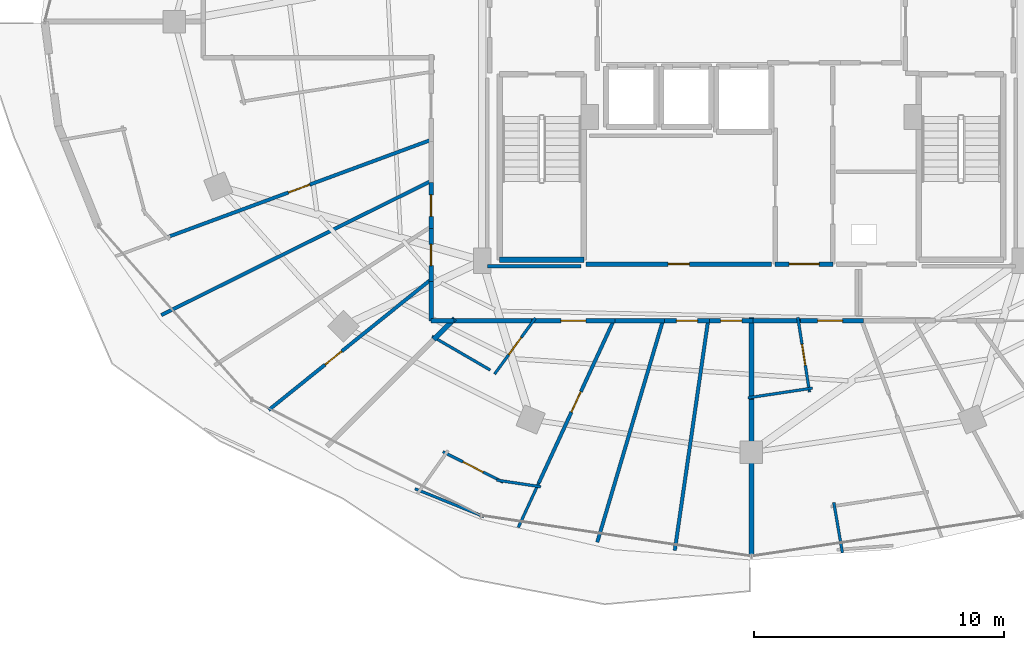
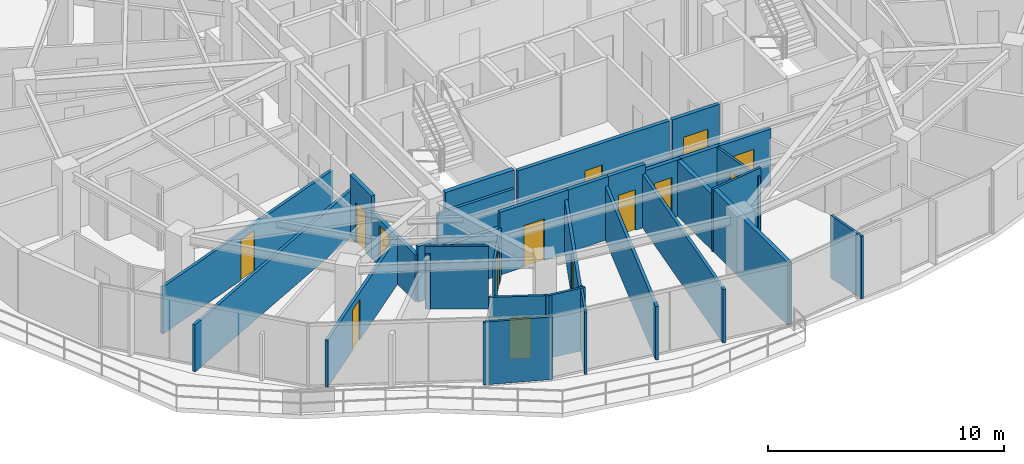
# One storey, part 23 of 33: 33 walls, 14 doors, 14 openings.
"""IFC4 building model written with IfcOpenShell, lengths in metres."""

from ifc_helpers import new_model, si_unit, direction, frame, frame_2d, origin, place, context, subcontext, project, spatial, rectangle, extrude, material, layer, layer_set, type_object, element, fill, save


model = new_model("IFC4")

# Units and contexts
model_context = context("Model", 3, precision=1e-05, world=origin(), true_north=direction((0.0, 1.0)))
body_context = subcontext(model_context, "Body", "Model", "MODEL_VIEW")
ifc_project = project(units=[si_unit("LENGTHUNIT", "METRE"), si_unit("AREAUNIT", "SQUARE_METRE"), si_unit("VOLUMEUNIT", "CUBIC_METRE"), si_unit("PLANEANGLEUNIT", "RADIAN"), si_unit("MASSUNIT", "GRAM", prefix="KILO")], contexts=[model_context])

# Site, building, storey
site_placement = place(None, origin())
site = spatial("IfcSite", under=ifc_project, at=site_placement, CompositionType="ELEMENT")
building_placement = place(site_placement, origin())
building = spatial("IfcBuilding", under=site, at=building_placement, Name="Vorneva Point Tower", CompositionType="ELEMENT")
storey_placement = place(building_placement, frame((0.0, 0.0, 179.10009765625)))
storey = spatial("IfcBuildingStorey", under=building, at=storey_placement, Name="L48", CompositionType="ELEMENT", Elevation=179.10009765625)

# Wall, opening, door
ifc_material_1 = material(Name="Fire-rated acoustic gypsum stud partition", Category="gypsum")
ifc_layer_1 = layer(ifc_material_1, 0.110107421875)
ifc_layer_set_1 = layer_set([ifc_layer_1], Name="Fire-rated acoustic gypsum stud partition")
wall_type_1 = type_object("IfcWallType", Name="WL-PART-110", PredefinedType="PARTITIONING", material=ifc_layer_set_1)
wall_1_placement = place(storey_placement, frame((29.37158203125, 14.1630859375, 0.0), z_axis=(0.0, 0.0, 1.0), x_axis=(-0.589066743954, -0.808084383693, 0.0)))
wall_1 = element("IfcWall", 1, at=wall_1_placement, inside=storey, type_object=wall_type_1, Name="L48 Interior Partition 155", PredefinedType="PARTITIONING", context=body_context, shape_type="SweptSolid", body=[
    extrude(rectangle(XDim=2.772216796875, YDim=0.110107421875, at=frame_2d((1.38623046875, 0.0))), origin(), (0.0, 0.0, 1.0), 2.431884765625),
])
opening_1_placement = place(wall_1_placement, frame((0.961181640625, 0.0, 0.0)))
opening_1 = element("IfcOpeningElement", 2, at=opening_1_placement, cuts=wall_1, Name="Opening ID-02", PredefinedType="OPENING", context=body_context, shape_type="SweptSolid", body=[
    extrude(rectangle(XDim=0.85009765625, YDim=2.10009765625, at=frame_2d((0.425048828125, 1.050048828125))), frame((0.0, 0.06982421875, 0.0), z_axis=(0.0, -1.0, 0.0), x_axis=(1.0, 0.0, 0.0)), (0.0, 0.0, 1.0), 0.139892578125),
])
ifc_material_2 = material(Name="Engineered oak fire-rated door leaf", Category="wood")
door_type_1 = type_object("IfcDoorType", Name="DR-BATH-850", OperationType="NOTDEFINED", PredefinedType="DOOR", material=ifc_material_2)
door_1_placement = place(opening_1_placement, origin())
door_1 = element("IfcDoor", 3, at=door_1_placement, inside=storey, type_object=door_type_1, Name="L48 Door Living and Dining Room L48-06 / Bathroom L48-06", OperationType="SINGLE_SWING_LEFT", OverallHeight=2.10009765625, OverallWidth=0.85009765625, PredefinedType="DOOR", context=body_context, shape_type="SweptSolid", body=[
    extrude(rectangle(XDim=0.85009765625, YDim=2.10009765625, at=frame_2d((0.425048828125, 1.050048828125))), frame((0.0, 0.02490234375, 0.0), z_axis=(0.0, -1.0, 0.0), x_axis=(1.0, 0.0, 0.0)), (0.0, 0.0, 1.0), 0.050048828125),
])
fill(opening_1, door_1)

# Wall
wall_2_placement = place(storey_placement, frame((27.568115234375, 12.08251953125, 0.0), z_axis=(0.0, 0.0, 1.0), x_axis=(-0.864515441931, 0.502606258082, 0.0)))
element("IfcWall", 4, at=wall_2_placement, inside=storey, type_object=wall_type_1, Name="L48 Interior Partition 156", PredefinedType="PARTITIONING", context=body_context, shape_type="SweptSolid", body=[
    extrude(rectangle(XDim=2.689697265625, YDim=0.110107421875, at=frame_2d((1.3447265625, 0.0))), origin(), (0.0, 0.0, 1.0), 3.239990234375),
])

# Wall, opening, door
wall_3_placement = place(storey_placement, frame((25.675048828125, 8.820068359375, 0.0), z_axis=(0.0, 0.0, 1.0), x_axis=(0.892628057427, -0.450793911999, 0.0)))
wall_3 = element("IfcWall", 5, at=wall_3_placement, inside=storey, type_object=wall_type_1, Name="L48 Interior Partition 158", PredefinedType="PARTITIONING", context=body_context, shape_type="SweptSolid", body=[
    extrude(rectangle(XDim=2.697509765625, YDim=0.110107421875, at=frame_2d((1.3486328125, 0.0))), origin(), (0.0, 0.0, 1.0), 3.239990234375),
])
opening_2_placement = place(wall_3_placement, frame((0.89892578125, 0.0, 0.0)))
opening_2 = element("IfcOpeningElement", 6, at=opening_2_placement, cuts=wall_3, Name="Opening ID-01", PredefinedType="OPENING", context=body_context, shape_type="SweptSolid", body=[
    extrude(rectangle(XDim=0.89990234375, YDim=2.10009765625, at=frame_2d((0.449951171875, 1.050048828125))), frame((0.0, 0.06982421875, 0.0), z_axis=(0.0, -1.0, 0.0), x_axis=(1.0, 0.0, 0.0)), (0.0, 0.0, 1.0), 0.139892578125),
])
door_type_2 = type_object("IfcDoorType", Name="DR-ROOM-900", OperationType="NOTDEFINED", PredefinedType="DOOR", material=ifc_material_2)
door_2_placement = place(opening_2_placement, origin())
door_2 = element("IfcDoor", 7, at=door_2_placement, inside=storey, type_object=door_type_2, Name="L48 Door Living and Dining Room L48-06 / Kitchen L48-06", OperationType="SINGLE_SWING_LEFT", OverallHeight=2.10009765625, OverallWidth=0.89990234375, PredefinedType="DOOR", context=body_context, shape_type="SweptSolid", body=[
    extrude(rectangle(XDim=0.89990234375, YDim=2.10009765625, at=frame_2d((0.449951171875, 1.050048828125))), frame((0.0, 0.02490234375, 0.0), z_axis=(0.0, -1.0, 0.0), x_axis=(1.0, 0.0, 0.0)), (0.0, 0.0, 1.0), 0.050048828125),
])
fill(opening_2, door_2)

# Walls
wall_4_placement = place(storey_placement, frame((27.819580078125, 7.68798828125, 0.0), z_axis=(0.0, 0.0, 1.0), x_axis=(0.988830695744, -0.149043131857, 0.0)))
element("IfcWall", 8, at=wall_4_placement, inside=storey, type_object=wall_type_1, Name="L48 Interior Partition 159", PredefinedType="PARTITIONING", context=body_context, shape_type="SweptSolid", body=[
    extrude(rectangle(XDim=1.783935546875, YDim=0.110107421875, at=frame_2d((0.89208984375, 0.0))), origin(), (0.0, 0.0, 1.0), 3.239990234375),
])
wall_5_placement = place(storey_placement, frame((29.503662109375, 7.570068359375, 0.0), z_axis=(0.0, 0.0, 1.0), x_axis=(-0.418662115749, -0.908142077451, 0.0)))
element("IfcWall", 9, at=wall_5_placement, inside=storey, type_object=wall_type_1, Name="L48 Interior Partition 160", PredefinedType="PARTITIONING", context=body_context, shape_type="SweptSolid", body=[
    extrude(rectangle(XDim=1.95458984375, YDim=0.110107421875, at=frame_2d((0.977294921875, 0.0))), origin(), (0.0, 0.0, 1.0), 3.239990234375),
])
wall_6_placement = place(storey_placement, frame((24.561279296875, 7.342529296875, 0.0), z_axis=(0.0, 0.0, 1.0), x_axis=(0.926858319785, -0.375411314487, 0.0)))
element("IfcWall", 10, at=wall_6_placement, inside=storey, type_object=wall_type_1, Name="L48 Interior Partition 161", PredefinedType="PARTITIONING", context=body_context, shape_type="SweptSolid", body=[
    extrude(rectangle(XDim=2.970703125, YDim=0.110107421875, at=frame_2d((1.4853515625, 0.0))), origin(), (0.0, 0.0, 1.0), 3.239990234375),
])

# Wall, opening, door
wall_7_placement = place(storey_placement, frame((39.851318359375, 14.188232421875, 0.0), z_axis=(0.0, 0.0, 1.0), x_axis=(0.154995605388, -0.98791515947, 0.0)))
wall_7 = element("IfcWall", 11, at=wall_7_placement, inside=storey, type_object=wall_type_1, Name="L48 Interior Partition 167", PredefinedType="PARTITIONING", context=body_context, shape_type="SweptSolid", body=[
    extrude(rectangle(XDim=3.021240234375, YDim=0.110107421875, at=frame_2d((1.5107421875, 0.0))), origin(), (0.0, 0.0, 1.0), 2.8740234375),
])
opening_3_placement = place(wall_7_placement, frame((1.085693359375, 0.0, 0.0)))
opening_3 = element("IfcOpeningElement", 12, at=opening_3_placement, cuts=wall_7, Name="Opening ID-02", PredefinedType="OPENING", context=body_context, shape_type="SweptSolid", body=[
    extrude(rectangle(XDim=0.85009765625, YDim=2.10009765625, at=frame_2d((0.425048828125, 1.050048828125))), frame((0.0, 0.06982421875, 0.0), z_axis=(0.0, -1.0, 0.0), x_axis=(1.0, 0.0, 0.0)), (0.0, 0.0, 1.0), 0.139892578125),
])
door_3_placement = place(opening_3_placement, origin())
door_3 = element("IfcDoor", 13, at=door_3_placement, inside=storey, type_object=door_type_1, Name="L48 Door Living and Dining Room L48-07 / Bathroom L48-07", OperationType="SINGLE_SWING_LEFT", OverallHeight=2.10009765625, OverallWidth=0.85009765625, PredefinedType="DOOR", context=body_context, shape_type="SweptSolid", body=[
    extrude(rectangle(XDim=0.85009765625, YDim=2.10009765625, at=frame_2d((0.425048828125, 1.050048828125))), frame((0.0, 0.02490234375, 0.0), z_axis=(0.0, -1.0, 0.0), x_axis=(1.0, 0.0, 0.0)), (0.0, 0.0, 1.0), 0.050048828125),
])
fill(opening_3, door_3)

# Walls
wall_8_placement = place(storey_placement, frame((40.436279296875, 11.36279296875, 0.0), z_axis=(0.0, 0.0, 1.0), x_axis=(-0.988852287037, -0.148899813371, 0.0)))
element("IfcWall", 14, at=wall_8_placement, inside=storey, type_object=wall_type_1, Name="L48 Interior Partition 168", PredefinedType="PARTITIONING", context=body_context, shape_type="SweptSolid", body=[
    extrude(rectangle(XDim=2.603759765625, YDim=0.110107421875, at=frame_2d((1.3017578125, 0.0))), origin(), (0.0, 0.0, 1.0), 3.239990234375),
])
wall_9_placement = place(storey_placement, frame((41.634521484375, 4.781982421875, 0.0), z_axis=(0.0, 0.0, 1.0), x_axis=(-0.168804313657, 0.985649584635, 0.0)))
element("IfcWall", 15, at=wall_9_placement, inside=storey, type_object=wall_type_1, Name="L48 Interior Partition 169", PredefinedType="PARTITIONING", context=body_context, shape_type="SweptSolid", body=[
    extrude(rectangle(XDim=2.039306640625, YDim=0.110107421875, at=frame_2d((1.01953125, 0.0))), origin(), (0.0, 0.0, 1.0), 3.239990234375),
])

# Wall, opening, door
ifc_layer_2 = layer(ifc_material_1, 0.139892578125)
ifc_layer_set_2 = layer_set([ifc_layer_2], Name="Fire-rated acoustic gypsum stud partition")
wall_type_2 = type_object("IfcWallType", Name="WL-PART-140", PredefinedType="PARTITIONING", material=ifc_layer_set_2)
wall_10_placement = place(storey_placement, frame((14.656982421875, 17.387939453125, 0.0), z_axis=(0.0, 0.0, 1.0), x_axis=(0.938173124492, 0.346166417322, 0.0)))
wall_10 = element("IfcWall", 16, at=wall_10_placement, inside=storey, type_object=wall_type_2, Name="L48 Interior Partition 148", PredefinedType="PARTITIONING", context=body_context, shape_type="SweptSolid", body=[
    extrude(rectangle(XDim=11.23779296875, YDim=0.139892578125, at=frame_2d((5.618896484375, 0.0))), origin(), (0.0, 0.0, 1.0), 2.431884765625),
])
opening_4_placement = place(wall_10_placement, frame((5.1689453125, 0.0, 0.0)))
opening_4 = element("IfcOpeningElement", 17, at=opening_4_placement, cuts=wall_10, Name="Opening ID-01", PredefinedType="OPENING", context=body_context, shape_type="SweptSolid", body=[
    extrude(rectangle(XDim=0.89990234375, YDim=2.10009765625, at=frame_2d((0.449951171875, 1.050048828125))), frame((0.0, 0.0849609375, 0.0), z_axis=(0.0, -1.0, 0.0), x_axis=(1.0, 0.0, 0.0)), (0.0, 0.0, 1.0), 0.169677734375),
])
door_4_placement = place(opening_4_placement, origin())
door_4 = element("IfcDoor", 18, at=door_4_placement, inside=storey, type_object=door_type_2, Name="L48 Door Living and Dining Room L48-05 / Master Bedroom L48-05.1", OperationType="SINGLE_SWING_RIGHT", OverallHeight=2.10009765625, OverallWidth=0.89990234375, PredefinedType="DOOR", context=body_context, shape_type="SweptSolid", body=[
    extrude(rectangle(XDim=0.89990234375, YDim=2.10009765625, at=frame_2d((0.449951171875, 1.050048828125))), frame((0.0, 0.02490234375, 0.0), z_axis=(0.0, -1.0, 0.0), x_axis=(1.0, 0.0, 0.0)), (0.0, 0.0, 1.0), 0.050048828125),
])
fill(opening_4, door_4)

# Wall
wall_11_placement = place(storey_placement, frame((14.427978515625, 14.280029296875, 0.0), z_axis=(0.0, 0.0, 1.0), x_axis=(0.895423439435, 0.44521552546, 0.0)))
element("IfcWall", 19, at=wall_11_placement, inside=storey, type_object=wall_type_2, Name="L48 Interior Partition 150", PredefinedType="PARTITIONING", context=body_context, shape_type="SweptSolid", body=[
    extrude(rectangle(XDim=12.030029296875, YDim=0.139892578125, at=frame_2d((6.01513671875, 0.0))), origin(), (0.0, 0.0, 1.0), 2.431884765625),
])

# Wall, opening, door
wall_12_placement = place(storey_placement, frame((18.715087890625, 10.487060546875, 0.0), z_axis=(0.0, 0.0, 1.0), x_axis=(0.779157389419, 0.626828335762, 0.0)))
wall_12 = element("IfcWall", 20, at=wall_12_placement, inside=storey, type_object=wall_type_2, Name="L48 Interior Partition 152", PredefinedType="PARTITIONING", context=body_context, shape_type="SweptSolid", body=[
    extrude(rectangle(XDim=8.322998046875, YDim=0.139892578125, at=frame_2d((4.16162109375, 0.0))), origin(), (0.0, 0.0, 1.0), 2.431884765625),
])
opening_5_placement = place(wall_12_placement, frame((2.896484375, 0.0, 0.0)))
opening_5 = element("IfcOpeningElement", 21, at=opening_5_placement, cuts=wall_12, Name="Opening ID-02", PredefinedType="OPENING", context=body_context, shape_type="SweptSolid", body=[
    extrude(rectangle(XDim=0.85009765625, YDim=2.10009765625, at=frame_2d((0.425048828125, 1.050048828125))), frame((0.0, 0.0849609375, 0.0), z_axis=(0.0, -1.0, 0.0), x_axis=(1.0, 0.0, 0.0)), (0.0, 0.0, 1.0), 0.169677734375),
])
door_5_placement = place(opening_5_placement, origin())
door_5 = element("IfcDoor", 22, at=door_5_placement, inside=storey, type_object=door_type_1, Name="L48 Access Door Bedroom L48-05.3", OperationType="SINGLE_SWING_LEFT", OverallHeight=2.10009765625, OverallWidth=0.85009765625, PredefinedType="DOOR", context=body_context, shape_type="SweptSolid", body=[
    extrude(rectangle(XDim=0.85009765625, YDim=2.10009765625, at=frame_2d((0.425048828125, 1.050048828125))), frame((0.0, 0.02490234375, 0.0), z_axis=(0.0, -1.0, 0.0), x_axis=(1.0, 0.0, 0.0)), (0.0, 0.0, 1.0), 0.050048828125),
])
fill(opening_5, door_5)

wall_13_placement = place(storey_placement, frame((29.503662109375, 7.570068359375, 0.0), z_axis=(0.0, 0.0, 1.0), x_axis=(0.418658902348, 0.908143558852, 0.0)))
wall_13 = element("IfcWall", 23, at=wall_13_placement, inside=storey, type_object=wall_type_2, Name="L48 Interior Partition 162", PredefinedType="PARTITIONING", context=body_context, shape_type="SweptSolid", body=[
    extrude(rectangle(XDim=7.135498046875, YDim=0.139892578125, at=frame_2d((3.56787109375, 0.0))), origin(), (0.0, 0.0, 1.0), 2.77392578125),
])
opening_6_placement = place(wall_13_placement, frame((3.11767578125, 0.0, 0.0)))
opening_6 = element("IfcOpeningElement", 24, at=opening_6_placement, cuts=wall_13, Name="Opening ID-01", PredefinedType="OPENING", context=body_context, shape_type="SweptSolid", body=[
    extrude(rectangle(XDim=0.89990234375, YDim=2.10009765625, at=frame_2d((0.449951171875, 1.050048828125))), frame((0.0, 0.0849609375, 0.0), z_axis=(0.0, -1.0, 0.0), x_axis=(1.0, 0.0, 0.0)), (0.0, 0.0, 1.0), 0.169677734375),
])
door_6_placement = place(opening_6_placement, origin())
door_6 = element("IfcDoor", 25, at=door_6_placement, inside=storey, type_object=door_type_2, Name="L48 Door Living and Dining Room L48-06 / Master Bedroom L48-06.1", OperationType="SINGLE_SWING_RIGHT", OverallHeight=2.10009765625, OverallWidth=0.89990234375, PredefinedType="DOOR", context=body_context, shape_type="SweptSolid", body=[
    extrude(rectangle(XDim=0.89990234375, YDim=2.10009765625, at=frame_2d((0.449951171875, 1.050048828125))), frame((0.0, 0.02490234375, 0.0), z_axis=(0.0, -1.0, 0.0), x_axis=(1.0, 0.0, 0.0)), (0.0, 0.0, 1.0), 0.050048828125),
])
fill(opening_6, door_6)

# Walls
wall_14_placement = place(storey_placement, frame((31.842041015625, 5.2099609375, 0.0), z_axis=(0.0, 0.0, 1.0), x_axis=(0.283952183478, 0.958838441813, 0.0)))
element("IfcWall", 26, at=wall_14_placement, inside=storey, type_object=wall_type_2, Name="L48 Interior Partition 163", PredefinedType="PARTITIONING", context=body_context, shape_type="SweptSolid", body=[
    extrude(rectangle(XDim=9.219482421875, YDim=0.139892578125, at=frame_2d((4.60986328125, 0.0))), origin(), (0.0, 0.0, 1.0), 2.77392578125),
])
wall_15_placement = place(storey_placement, frame((34.93798828125, 4.87890625, 0.0), z_axis=(0.0, 0.0, 1.0), x_axis=(0.143423836858, 0.989661357749, 0.0)))
element("IfcWall", 27, at=wall_15_placement, inside=storey, type_object=wall_type_2, Name="L48 Interior Partition 164", PredefinedType="PARTITIONING", context=body_context, shape_type="SweptSolid", body=[
    extrude(rectangle(XDim=9.266845703125, YDim=0.139892578125, at=frame_2d((4.63330078125, 0.0))), origin(), (0.0, 0.0, 1.0), 2.77392578125),
])
wall_16_placement = place(storey_placement, frame((27.449951171875, 16.239990234375, 0.0), z_axis=(0.0, 0.0, 1.0), x_axis=(1.0, 0.0, 0.0)))
element("IfcWall", 28, at=wall_16_placement, inside=storey, type_object=wall_type_2, Name="L48 Interior Closure Partition 205", PredefinedType="PARTITIONING", context=body_context, shape_type="SweptSolid", body=[
    extrude(rectangle(XDim=3.7451171875, YDim=0.139892578125, at=frame_2d((1.87255859375, 0.0))), origin(), (0.0, 0.0, 1.0), 2.431884765625),
])

# Wall, opening, door
ifc_material_3 = material(Name="Autoclaved aerated concrete blockwork", Category="masonry")
ifc_layer_3 = layer(ifc_material_3, 0.179931640625)
ifc_layer_set_3 = layer_set([ifc_layer_3], Name="Autoclaved aerated concrete blockwork")
wall_type_3 = type_object("IfcWallType", Name="WL-PART-180", PredefinedType="PARTITIONING", material=ifc_layer_set_3)
wall_17_placement = place(storey_placement, frame((38.949951171875, 16.320068359375, 0.0), z_axis=(0.0, 0.0, 1.0), x_axis=(1.0, 0.0, 0.0)))
wall_17 = element("IfcWall", 29, at=wall_17_placement, inside=storey, type_object=wall_type_3, Name="L48 Interior Partition 016", PredefinedType="PARTITIONING", context=body_context, shape_type="SweptSolid", body=[
    extrude(rectangle(XDim=2.300048828125, YDim=0.179931640625, at=frame_2d((1.14990234375, 0.0))), origin(), (0.0, 0.0, 1.0), 3.239990234375),
])
opening_7_placement = place(wall_17_placement, frame((0.550048828125, 0.0, 0.0)))
opening_7 = element("IfcOpeningElement", 30, at=opening_7_placement, cuts=wall_17, Name="Opening FD-02", PredefinedType="OPENING", context=body_context, shape_type="SweptSolid", body=[
    extrude(rectangle(XDim=1.199951171875, YDim=2.14990234375, at=frame_2d((0.60009765625, 1.074951171875))), frame((0.0, 0.10498046875, 0.0), z_axis=(0.0, -1.0, 0.0), x_axis=(1.0, 0.0, 0.0)), (0.0, 0.0, 1.0), 0.209716796875),
])
ifc_material_4 = material(Name="Fire-rated powder-coated steel", Category="steel")
door_type_3 = type_object("IfcDoorType", Name="DR-FFL-1200", OperationType="NOTDEFINED", PredefinedType="DOOR", material=ifc_material_4)
door_7_placement = place(opening_7_placement, origin())
door_7 = element("IfcDoor", 31, at=door_7_placement, inside=storey, type_object=door_type_3, Name="L48 Door Core Service Lobby / L48 Circulation Corridor", OperationType="SINGLE_SWING_RIGHT", OverallHeight=2.14990234375, OverallWidth=1.199951171875, PredefinedType="DOOR", context=body_context, shape_type="SweptSolid", body=[
    extrude(rectangle(XDim=1.199951171875, YDim=2.14990234375, at=frame_2d((0.60009765625, 1.074951171875))), frame((0.0, 0.02490234375, 0.0), z_axis=(0.0, -1.0, 0.0), x_axis=(1.0, 0.0, 0.0)), (0.0, 0.0, 1.0), 0.050048828125),
])
fill(opening_7, door_7)

wall_18_placement = place(storey_placement, frame((31.39990234375, 16.320068359375, 0.0), z_axis=(0.0, 0.0, 1.0), x_axis=(1.0, 0.0, 0.0)))
wall_18 = element("IfcWall", 32, at=wall_18_placement, inside=storey, type_object=wall_type_3, Name="L48 Interior Partition 025", PredefinedType="PARTITIONING", context=body_context, shape_type="SweptSolid", body=[
    extrude(rectangle(XDim=7.400146484375, YDim=0.179931640625, at=frame_2d((3.7001953125, 0.0))), origin(), (0.0, 0.0, 1.0), 3.239990234375),
])
opening_8_placement = place(wall_18_placement, frame((3.27490234375, 0.0, 0.0)))
opening_8 = element("IfcOpeningElement", 33, at=opening_8_placement, cuts=wall_18, Name="Opening ID-02", PredefinedType="OPENING", context=body_context, shape_type="SweptSolid", body=[
    extrude(rectangle(XDim=0.85009765625, YDim=2.10009765625, at=frame_2d((0.425048828125, 1.050048828125))), frame((0.0, 0.10498046875, 0.0), z_axis=(0.0, -1.0, 0.0), x_axis=(1.0, 0.0, 0.0)), (0.0, 0.0, 1.0), 0.209716796875),
])
door_8_placement = place(opening_8_placement, origin())
door_8 = element("IfcDoor", 34, at=door_8_placement, inside=storey, type_object=door_type_1, Name="L48 Door Floor Storage Room / L48 Circulation Corridor", OperationType="SINGLE_SWING_RIGHT", OverallHeight=2.10009765625, OverallWidth=0.85009765625, PredefinedType="DOOR", context=body_context, shape_type="SweptSolid", body=[
    extrude(rectangle(XDim=0.85009765625, YDim=2.10009765625, at=frame_2d((0.425048828125, 1.050048828125))), frame((0.0, 0.02490234375, 0.0), z_axis=(0.0, -1.0, 0.0), x_axis=(1.0, 0.0, 0.0)), (0.0, 0.0, 1.0), 0.050048828125),
])
fill(opening_8, door_8)

wall_19_placement = place(storey_placement, frame((25.199951171875, 19.569091796875, 0.0), z_axis=(0.0, 0.0, 1.0), x_axis=(0.0, -1.0, 0.0)))
wall_19 = element("IfcWall", 35, at=wall_19_placement, inside=storey, type_object=wall_type_3, Name="L48 Interior Partition 064", PredefinedType="PARTITIONING", context=body_context, shape_type="SweptSolid", body=[
    extrude(rectangle(XDim=1.833984375, YDim=0.179931640625, at=frame_2d((0.9169921875, 0.0))), origin(), (0.0, 0.0, 1.0), 3.239990234375),
])
opening_9_placement = place(wall_19_placement, frame((0.491943359375, 0.0, 0.0)))
opening_9 = element("IfcOpeningElement", 36, at=opening_9_placement, cuts=wall_19, Name="Opening ID-02", PredefinedType="OPENING", context=body_context, shape_type="SweptSolid", body=[
    extrude(rectangle(XDim=0.85009765625, YDim=2.10009765625, at=frame_2d((0.425048828125, 1.050048828125))), frame((0.0, 0.10498046875, 0.0), z_axis=(0.0, -1.0, 0.0), x_axis=(1.0, 0.0, 0.0)), (0.0, 0.0, 1.0), 0.209716796875),
])
door_9_placement = place(opening_9_placement, origin())
door_9 = element("IfcDoor", 37, at=door_9_placement, inside=storey, type_object=door_type_1, Name="L48 Access Door L48 Circulation Corridor", OperationType="SINGLE_SWING_RIGHT", OverallHeight=2.10009765625, OverallWidth=0.85009765625, PredefinedType="DOOR", context=body_context, shape_type="SweptSolid", body=[
    extrude(rectangle(XDim=0.85009765625, YDim=2.10009765625, at=frame_2d((0.425048828125, 1.050048828125))), frame((0.0, 0.02490234375, 0.0), z_axis=(0.0, -1.0, 0.0), x_axis=(1.0, 0.0, 0.0)), (0.0, 0.0, 1.0), 0.050048828125),
])
fill(opening_9, door_9)

wall_20_placement = place(storey_placement, frame((25.199951171875, 17.735107421875, 0.0), z_axis=(0.0, 0.0, 1.0), x_axis=(0.0, -1.0, 0.0)))
wall_20 = element("IfcWall", 38, at=wall_20_placement, inside=storey, type_object=wall_type_3, Name="L48 Interior Partition 065", PredefinedType="PARTITIONING", context=body_context, shape_type="SweptSolid", body=[
    extrude(rectangle(XDim=2.108154296875, YDim=0.179931640625, at=frame_2d((1.05419921875, 0.0))), origin(), (0.0, 0.0, 1.0), 2.431884765625),
])
opening_10_placement = place(wall_20_placement, frame((0.62890625, 0.0, 0.0)))
opening_10 = element("IfcOpeningElement", 39, at=opening_10_placement, cuts=wall_20, Name="Opening ID-02", PredefinedType="OPENING", context=body_context, shape_type="SweptSolid", body=[
    extrude(rectangle(XDim=0.85009765625, YDim=2.10009765625, at=frame_2d((0.425048828125, 1.050048828125))), frame((0.0, 0.10498046875, 0.0), z_axis=(0.0, -1.0, 0.0), x_axis=(1.0, 0.0, 0.0)), (0.0, 0.0, 1.0), 0.209716796875),
])
door_10_placement = place(opening_10_placement, origin())
door_10 = element("IfcDoor", 40, at=door_10_placement, inside=storey, type_object=door_type_1, Name="L48 Access Door L48 Circulation Corridor", OperationType="SINGLE_SWING_LEFT", OverallHeight=2.10009765625, OverallWidth=0.85009765625, PredefinedType="DOOR", context=body_context, shape_type="SweptSolid", body=[
    extrude(rectangle(XDim=0.85009765625, YDim=2.10009765625, at=frame_2d((0.425048828125, 1.050048828125))), frame((0.0, 0.02490234375, 0.0), z_axis=(0.0, -1.0, 0.0), x_axis=(1.0, 0.0, 0.0)), (0.0, 0.0, 1.0), 0.050048828125),
])
fill(opening_10, door_10)

# Walls
wall_21_placement = place(storey_placement, frame((25.199951171875, 15.626953125, 0.0), z_axis=(0.0, 0.0, 1.0), x_axis=(0.0, -1.0, 0.0)))
element("IfcWall", 41, at=wall_21_placement, inside=storey, type_object=wall_type_3, Name="L48 Interior Partition 066", PredefinedType="PARTITIONING", context=body_context, shape_type="SweptSolid", body=[
    extrude(rectangle(XDim=1.576904296875, YDim=0.179931640625, at=frame_2d((0.78857421875, 0.0))), origin(), (0.0, 0.0, 1.0), 2.431884765625),
])
wall_22_placement = place(storey_placement, frame((25.199951171875, 14.050048828125, 0.0), z_axis=(0.0, 0.0, 1.0), x_axis=(1.0, 0.0, 0.0)))
element("IfcWall", 42, at=wall_22_placement, inside=storey, type_object=wall_type_3, Name="L48 Interior Partition 067", PredefinedType="PARTITIONING", context=body_context, shape_type="SweptSolid", body=[
    extrude(rectangle(XDim=0.91015625, YDim=0.179931640625, at=frame_2d((0.455078125, 0.0))), origin(), (0.0, 0.0, 1.0), 2.8740234375),
])

# Wall, opening, door
wall_23_placement = place(storey_placement, frame((29.215087890625, 14.050048828125, 0.0), z_axis=(0.0, 0.0, 1.0), x_axis=(1.0, 0.0, 0.0)))
wall_23 = element("IfcWall", 43, at=wall_23_placement, inside=storey, type_object=wall_type_3, Name="L48 Interior Partition 068", PredefinedType="PARTITIONING", context=body_context, shape_type="SweptSolid", body=[
    extrude(rectangle(XDim=3.3359375, YDim=0.179931640625, at=frame_2d((1.66796875, 0.0))), origin(), (0.0, 0.0, 1.0), 3.239990234375),
])
opening_11_placement = place(wall_23_placement, frame((1.16796875, 0.0, 0.0)))
opening_11 = element("IfcOpeningElement", 44, at=opening_11_placement, cuts=wall_23, Name="Opening UD-01", PredefinedType="OPENING", context=body_context, shape_type="SweptSolid", body=[
    extrude(rectangle(XDim=1.0, YDim=2.14990234375, at=frame_2d((0.5, 1.074951171875))), frame((0.0, 0.10498046875, 0.0), z_axis=(0.0, -1.0, 0.0), x_axis=(1.0, 0.0, 0.0)), (0.0, 0.0, 1.0), 0.209716796875),
])
door_type_4 = type_object("IfcDoorType", Name="DR-UNIT-1000", OperationType="NOTDEFINED", PredefinedType="DOOR", material=ifc_material_2)
door_11_placement = place(opening_11_placement, origin())
door_11 = element("IfcDoor", 45, at=door_11_placement, inside=storey, type_object=door_type_4, Name="L48 Door L48 Circulation Corridor / Living and Dining Room L48-06", OperationType="SINGLE_SWING_LEFT", OverallHeight=2.14990234375, OverallWidth=1.0, PredefinedType="DOOR", context=body_context, shape_type="SweptSolid", body=[
    extrude(rectangle(XDim=1.0, YDim=2.14990234375, at=frame_2d((0.5, 1.074951171875))), frame((0.0, 0.02490234375, 0.0), z_axis=(0.0, -1.0, 0.0), x_axis=(1.0, 0.0, 0.0)), (0.0, 0.0, 1.0), 0.050048828125),
])
fill(opening_11, door_11)

# Walls
wall_24_placement = place(storey_placement, frame((25.969970703125, 14.050048828125, 0.0), z_axis=(0.0, 0.0, 1.0), x_axis=(1.0, 0.0, 0.0)))
element("IfcWall", 46, at=wall_24_placement, inside=storey, type_object=wall_type_3, Name="L48 Interior Partition 069", PredefinedType="PARTITIONING", context=body_context, shape_type="SweptSolid", body=[
    extrude(rectangle(XDim=3.385009765625, YDim=0.179931640625, at=frame_2d((1.6923828125, 0.0))), origin(), (0.0, 0.0, 1.0), 2.431884765625),
])
wall_25_placement = place(storey_placement, frame((32.551025390625, 14.050048828125, 0.0), z_axis=(0.0, 0.0, 1.0), x_axis=(1.0, 0.0, 0.0)))
element("IfcWall", 47, at=wall_25_placement, inside=storey, type_object=wall_type_3, Name="L48 Interior Partition 070", PredefinedType="PARTITIONING", context=body_context, shape_type="SweptSolid", body=[
    extrude(rectangle(XDim=1.968994140625, YDim=0.179931640625, at=frame_2d((0.984375, 0.0))), origin(), (0.0, 0.0, 1.0), 3.239990234375),
])

# Wall, opening, door
wall_26_placement = place(storey_placement, frame((34.52001953125, 14.050048828125, 0.0), z_axis=(0.0, 0.0, 1.0), x_axis=(1.0, 0.0, 0.0)))
wall_26 = element("IfcWall", 48, at=wall_26_placement, inside=storey, type_object=wall_type_3, Name="L48 Interior Partition 071", PredefinedType="PARTITIONING", context=body_context, shape_type="SweptSolid", body=[
    extrude(rectangle(XDim=1.806884765625, YDim=0.179931640625, at=frame_2d((0.9033203125, 0.0))), origin(), (0.0, 0.0, 1.0), 3.239990234375),
])
opening_12_placement = place(wall_26_placement, frame((0.478515625, 0.0, 0.0)))
opening_12 = element("IfcOpeningElement", 49, at=opening_12_placement, cuts=wall_26, Name="Opening ID-02", PredefinedType="OPENING", context=body_context, shape_type="SweptSolid", body=[
    extrude(rectangle(XDim=0.85009765625, YDim=2.10009765625, at=frame_2d((0.425048828125, 1.050048828125))), frame((0.0, 0.10498046875, 0.0), z_axis=(0.0, -1.0, 0.0), x_axis=(1.0, 0.0, 0.0)), (0.0, 0.0, 1.0), 0.209716796875),
])
door_12_placement = place(opening_12_placement, origin())
door_12 = element("IfcDoor", 50, at=door_12_placement, inside=storey, type_object=door_type_1, Name="L48 Access Door L48 Circulation Corridor", OperationType="SINGLE_SWING_RIGHT", OverallHeight=2.10009765625, OverallWidth=0.85009765625, PredefinedType="DOOR", context=body_context, shape_type="SweptSolid", body=[
    extrude(rectangle(XDim=0.85009765625, YDim=2.10009765625, at=frame_2d((0.425048828125, 1.050048828125))), frame((0.0, 0.02490234375, 0.0), z_axis=(0.0, -1.0, 0.0), x_axis=(1.0, 0.0, 0.0)), (0.0, 0.0, 1.0), 0.050048828125),
])
fill(opening_12, door_12)

wall_27_placement = place(storey_placement, frame((36.326904296875, 14.050048828125, 0.0), z_axis=(0.0, 0.0, 1.0), x_axis=(1.0, 0.0, 0.0)))
wall_27 = element("IfcWall", 51, at=wall_27_placement, inside=storey, type_object=wall_type_3, Name="L48 Interior Partition 072", PredefinedType="PARTITIONING", context=body_context, shape_type="SweptSolid", body=[
    extrude(rectangle(XDim=1.733154296875, YDim=0.179931640625, at=frame_2d((0.86669921875, 0.0))), origin(), (0.0, 0.0, 1.0), 2.921875),
])
opening_13_placement = place(wall_27_placement, frame((0.44140625, 0.0, 0.0)))
opening_13 = element("IfcOpeningElement", 52, at=opening_13_placement, cuts=wall_27, Name="Opening ID-02", PredefinedType="OPENING", context=body_context, shape_type="SweptSolid", body=[
    extrude(rectangle(XDim=0.85009765625, YDim=2.10009765625, at=frame_2d((0.425048828125, 1.050048828125))), frame((0.0, 0.10498046875, 0.0), z_axis=(0.0, -1.0, 0.0), x_axis=(1.0, 0.0, 0.0)), (0.0, 0.0, 1.0), 0.209716796875),
])
door_13_placement = place(opening_13_placement, origin())
door_13 = element("IfcDoor", 53, at=door_13_placement, inside=storey, type_object=door_type_1, Name="L48 Access Door L48 Circulation Corridor", OperationType="SINGLE_SWING_LEFT", OverallHeight=2.10009765625, OverallWidth=0.85009765625, PredefinedType="DOOR", context=body_context, shape_type="SweptSolid", body=[
    extrude(rectangle(XDim=0.85009765625, YDim=2.10009765625, at=frame_2d((0.425048828125, 1.050048828125))), frame((0.0, 0.02490234375, 0.0), z_axis=(0.0, -1.0, 0.0), x_axis=(1.0, 0.0, 0.0)), (0.0, 0.0, 1.0), 0.050048828125),
])
fill(opening_13, door_13)

wall_28_placement = place(storey_placement, frame((39.81298828125, 14.050048828125, 0.0), z_axis=(0.0, 0.0, 1.0), x_axis=(1.0, 0.0, 0.0)))
wall_28 = element("IfcWall", 54, at=wall_28_placement, inside=storey, type_object=wall_type_3, Name="L48 Interior Partition 073", PredefinedType="PARTITIONING", context=body_context, shape_type="SweptSolid", body=[
    extrude(rectangle(XDim=2.659912109375, YDim=0.179931640625, at=frame_2d((1.330078125, 0.0))), origin(), (0.0, 0.0, 1.0), 2.921875),
])
opening_14_placement = place(wall_28_placement, frame((0.830078125, 0.0, 0.0)))
opening_14 = element("IfcOpeningElement", 55, at=opening_14_placement, cuts=wall_28, Name="Opening UD-01", PredefinedType="OPENING", context=body_context, shape_type="SweptSolid", body=[
    extrude(rectangle(XDim=1.0, YDim=2.14990234375, at=frame_2d((0.5, 1.074951171875))), frame((0.0, 0.10498046875, 0.0), z_axis=(0.0, -1.0, 0.0), x_axis=(1.0, 0.0, 0.0)), (0.0, 0.0, 1.0), 0.209716796875),
])
door_14_placement = place(opening_14_placement, origin())
door_14 = element("IfcDoor", 56, at=door_14_placement, inside=storey, type_object=door_type_4, Name="L48 Door L48 Circulation Corridor / Living and Dining Room L48-07", OperationType="SINGLE_SWING_RIGHT", OverallHeight=2.14990234375, OverallWidth=1.0, PredefinedType="DOOR", context=body_context, shape_type="SweptSolid", body=[
    extrude(rectangle(XDim=1.0, YDim=2.14990234375, at=frame_2d((0.5, 1.074951171875))), frame((0.0, 0.02490234375, 0.0), z_axis=(0.0, -1.0, 0.0), x_axis=(1.0, 0.0, 0.0)), (0.0, 0.0, 1.0), 0.050048828125),
])
fill(opening_14, door_14)

# Walls
wall_29_placement = place(storey_placement, frame((37.919921875, 14.050048828125, 0.0), z_axis=(0.0, 0.0, 1.0), x_axis=(1.0, 0.0, 0.0)))
element("IfcWall", 57, at=wall_29_placement, inside=storey, type_object=wall_type_3, Name="L48 Interior Partition 074", PredefinedType="PARTITIONING", context=body_context, shape_type="SweptSolid", body=[
    extrude(rectangle(XDim=2.032958984375, YDim=0.179931640625, at=frame_2d((1.0166015625, 0.0))), origin(), (0.0, 0.0, 1.0), 2.921875),
])
ifc_layer_4 = layer(ifc_material_3, 0.199951171875)
ifc_layer_set_4 = layer_set([ifc_layer_4], Name="Autoclaved aerated concrete blockwork")
wall_type_4 = type_object("IfcWallType", Name="WL-PART-200", PredefinedType="PARTITIONING", material=ifc_layer_set_4)
wall_30_placement = place(storey_placement, frame((25.30908203125, 13.30908203125, 0.0), z_axis=(0.0, 0.0, 1.0), x_axis=(0.707106781187, 0.707106781187, 0.0)))
element("IfcWall", 58, at=wall_30_placement, inside=storey, type_object=wall_type_4, Name="L48 Interior Partition 154", PredefinedType="PARTITIONING", context=body_context, shape_type="SweptSolid", body=[
    extrude(rectangle(XDim=1.187744140625, YDim=0.199951171875, at=frame_2d((0.59375, 0.0))), origin(), (0.0, 0.0, 1.0), 2.8740234375),
])
wall_31_placement = place(storey_placement, frame((38.0, 4.64990234375, 0.0), z_axis=(0.0, 0.0, 1.0), x_axis=(0.0, 1.0, 0.0)))
element("IfcWall", 59, at=wall_31_placement, inside=storey, type_object=wall_type_4, Name="L48 Interior Partition 165", PredefinedType="PARTITIONING", context=body_context, shape_type="SweptSolid", body=[
    extrude(rectangle(XDim=6.406982421875, YDim=0.199951171875, at=frame_2d((3.20361328125, 0.0))), origin(), (0.0, 0.0, 1.0), 3.239990234375),
])
wall_32_placement = place(storey_placement, frame((38.0, 10.9169921875, 0.0), z_axis=(0.0, 0.0, 1.0), x_axis=(0.0, 1.0, 0.0)))
element("IfcWall", 60, at=wall_32_placement, inside=storey, type_object=wall_type_4, Name="L48 Interior Partition 166", PredefinedType="PARTITIONING", context=body_context, shape_type="SweptSolid", body=[
    extrude(rectangle(XDim=3.27294921875, YDim=0.199951171875, at=frame_2d((1.636474609375, 0.0))), origin(), (0.0, 0.0, 1.0), 2.8740234375),
])
ifc_material_5 = material(Name="Concrete B50 (C40/50)", Category="concrete")
ifc_layer_5 = layer(ifc_material_5, 0.219970703125)
ifc_layer_set_5 = layer_set([ifc_layer_5], Name="Concrete B50 (C40/50)")
wall_type_5 = type_object("IfcWallType", Name="WL-SHFT-220", PredefinedType="SOLIDWALL", material=ifc_layer_set_5)
wall_33_placement = place(storey_placement, frame((31.31005859375, 16.489990234375, 0.0), z_axis=(0.0, 0.0, 1.0), x_axis=(-1.0, 0.0, 0.0)))
element("IfcWall", 61, at=wall_33_placement, inside=storey, type_object=wall_type_5, Name="L48 Exit Stair ST1 Shaft Wall far", PredefinedType="SOLIDWALL", context=body_context, shape_type="SweptSolid", body=[
    extrude(rectangle(XDim=3.3701171875, YDim=0.219970703125, at=frame_2d((1.68505859375, 0.0))), origin(), (0.0, 0.0, 1.0), 3.239990234375),
])

save(model, "model.ifc")
